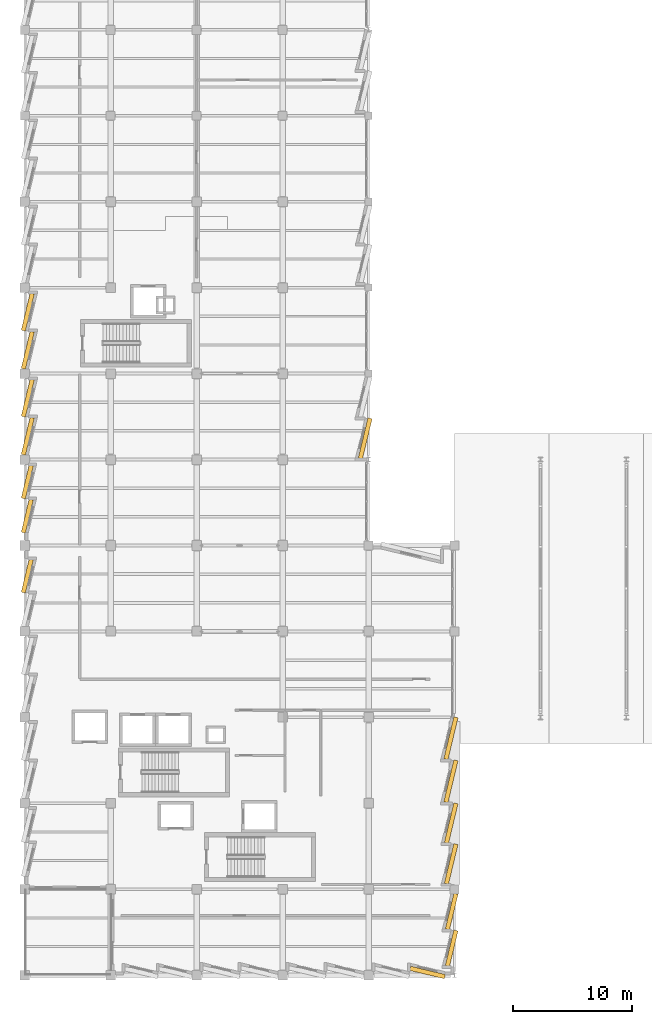
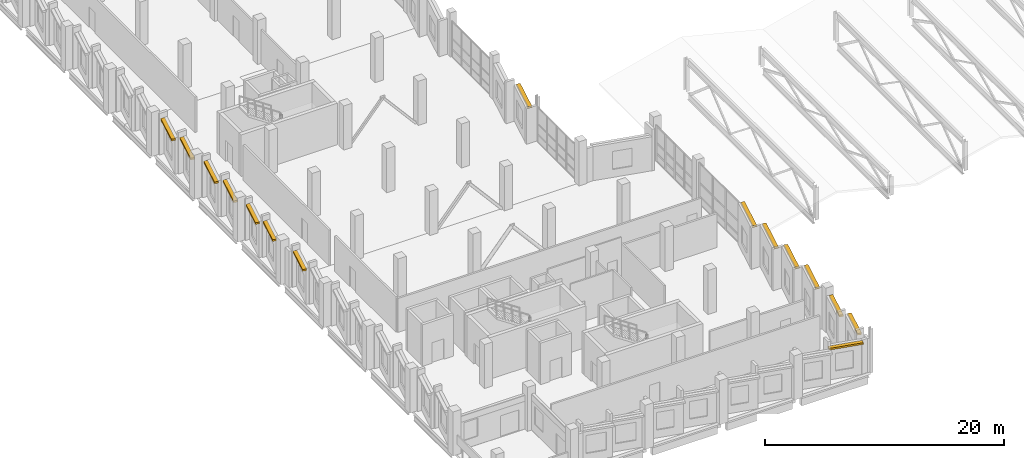
# One storey, part 107 of 123: 15 shading devices.
"""IFC4 building model written with IfcOpenShell, lengths in metres."""

from ifc_helpers import new_model, si_unit, direction, frame, origin, origin_2d, place, context, subcontext, project, spatial, rectangle, extrude, material, layer, layer_set, type_object, element, save


model = new_model("IFC4")

# Units and contexts
model_context = context("Model", 3, precision=1e-05, world=origin(), true_north=direction((0.0, 1.0)))
body_context = subcontext(model_context, "Body", "Model", "MODEL_VIEW")
ifc_project = project(units=[si_unit("LENGTHUNIT", "METRE"), si_unit("AREAUNIT", "SQUARE_METRE"), si_unit("VOLUMEUNIT", "CUBIC_METRE"), si_unit("PLANEANGLEUNIT", "RADIAN"), si_unit("MASSUNIT", "GRAM", prefix="KILO")], contexts=[model_context])

# Site, building, storey
site_placement = place(None, origin())
site = spatial("IfcSite", under=ifc_project, at=site_placement, CompositionType="ELEMENT")
building_placement = place(site_placement, origin())
building = spatial("IfcBuilding", under=site, at=building_placement, Name="Kalmorath City Hall", CompositionType="ELEMENT")
storey_placement = place(building_placement, frame((0.0, 0.0, 10.199951171875)))
storey = spatial("IfcBuildingStorey", under=building, at=storey_placement, Name="L02", CompositionType="ELEMENT", Elevation=10.199951171875)

# Shading devices
ifc_material = material(Name="Precast concrete C40/50", Category="concrete")
ifc_layer = layer(ifc_material, 0.179931640625)
ifc_layer_set = layer_set([ifc_layer], Name="Precast concrete C40/50")
shading_device_type = type_object("IfcShadingDeviceType", Name="Precast sawtooth brow sunshade 350", PredefinedType="USERDEFINED", material=ifc_layer_set)
for number, where, z_axis, x_axis, name in (
    (1, (0.212158203125, 33.443359375, 3.48583984375), (0.0, 0.0, 1.0), (0.233445363856, 0.972369920398, 0.0), "L02 precast sawtooth hood #194"),
    (2, (0.212158203125, 38.46435546875, 3.48583984375), (0.0, 0.0, 1.0), (0.233445363856, 0.972369920398, 0.0), "L02 precast sawtooth hood #195"),
    (3, (0.212158203125, 41.3232421875, 3.48583984375), (0.0, 0.0, 1.0), (0.233445363856, 0.972369920398, 0.0), "L02 precast sawtooth hood #196"),
):
    element("IfcShadingDevice", number, at=place(storey_placement, frame(where, z_axis=z_axis, x_axis=x_axis)), inside=storey, type_object=shading_device_type, Name=name, ObjectType="SUNSHADE", PredefinedType="USERDEFINED", context=body_context, shape_type="SweptSolid", body=[
        extrude(rectangle(XDim=2.84521484375, YDim=0.360107421875, at=origin_2d()), origin(), (0.0, 0.0, 1.0), 0.179931640625),
    ])
for number, where, z_axis, x_axis, name in (
    (4, (0.2529296875, 45.154296875, 3.48583984375), (0.0, 0.0, 1.0), (0.233445363856, 0.972369920398, 0.0), "L02 precast sawtooth hood #197"),
    (5, (0.2529296875, 48.353271484375, 3.48583984375), (0.0, 0.0, 1.0), (0.233445363856, 0.972369920398, 0.0), "L02 precast sawtooth hood #198"),
    (6, (0.2529296875, 52.354248046875, 3.48583984375), (0.0, 0.0, 1.0), (0.233445363856, 0.972369920398, 0.0), "L02 precast sawtooth hood #199"),
    (7, (0.2529296875, 55.55322265625, 3.48583984375), (0.0, 0.0, 1.0), (0.233445363856, 0.972369920398, 0.0), "L02 precast sawtooth hood #200"),
):
    element("IfcShadingDevice", number, at=place(storey_placement, frame(where, z_axis=z_axis, x_axis=x_axis)), inside=storey, type_object=shading_device_type, Name=name, ObjectType="SUNSHADE", PredefinedType="USERDEFINED", context=body_context, shape_type="SweptSolid", body=[
        extrude(rectangle(XDim=3.19482421875, YDim=0.360107421875, at=origin_2d()), origin(), (0.0, 0.0, 1.0), 0.179931640625),
    ])
shading_device_1_placement = place(storey_placement, frame((28.51708984375, 44.970947265625, 3.408203125), z_axis=(0.0, 0.0, 1.0), x_axis=(-0.233462334877, -0.972365845859, 0.0)))
element("IfcShadingDevice", 8, at=shading_device_1_placement, inside=storey, type_object=shading_device_type, Name="L02 precast sawtooth hood #268", ObjectType="SUNSHADE", PredefinedType="USERDEFINED", context=body_context, shape_type="SweptSolid", body=[
    extrude(rectangle(XDim=3.452392578125, YDim=0.360107421875, at=origin_2d()), origin(), (0.0, 0.0, 1.0), 0.179931640625),
])
for number, where, z_axis, x_axis, name in (
    (9, (35.698974609375, 19.84619140625, 4.0302734375), (0.0, 0.0, 1.0), (-0.233445363856, -0.972369920398, 0.0), "L02 precast sawtooth hood #270"),
    (10, (35.698974609375, 16.24609375, 4.0302734375), (0.0, 0.0, 1.0), (-0.233445363856, -0.972369920398, 0.0), "L02 precast sawtooth hood #271"),
):
    element("IfcShadingDevice", number, at=place(storey_placement, frame(where, z_axis=z_axis, x_axis=x_axis)), inside=storey, type_object=shading_device_type, Name=name, ObjectType="SUNSHADE", PredefinedType="USERDEFINED", context=body_context, shape_type="SweptSolid", body=[
        extrude(rectangle(XDim=3.607421875, YDim=0.360107421875, at=origin_2d()), origin(), (0.0, 0.0, 1.0), 0.179931640625),
    ])
for number, where, z_axis, x_axis, name in (
    (11, (35.721435546875, 12.740234375, 4.0302734375), (0.0, 0.0, 1.0), (-0.233428392764, -0.97237399464, 0.0), "L02 precast sawtooth hood #272"),
    (12, (35.721435546875, 9.328125, 4.0302734375), (0.0, 0.0, 1.0), (-0.233428392764, -0.97237399464, 0.0), "L02 precast sawtooth hood #273"),
):
    element("IfcShadingDevice", number, at=place(storey_placement, frame(where, z_axis=z_axis, x_axis=x_axis)), inside=storey, type_object=shading_device_type, Name=name, ObjectType="SUNSHADE", PredefinedType="USERDEFINED", context=body_context, shape_type="SweptSolid", body=[
        extrude(rectangle(XDim=3.413818359375, YDim=0.360107421875, at=origin_2d()), origin(), (0.0, 0.0, 1.0), 0.179931640625),
    ])
for number, where, z_axis, x_axis, name in (
    (13, (35.76220703125, 5.334228515625, 3.48583984375), (0.0, 0.0, 1.0), (-0.233445363856, -0.972369920398, 0.0), "L02 precast sawtooth hood #274"),
    (14, (35.76220703125, 2.26220703125, 3.48583984375), (0.0, 0.0, 1.0), (-0.233445363856, -0.972369920398, 0.0), "L02 precast sawtooth hood #275"),
):
    element("IfcShadingDevice", number, at=place(storey_placement, frame(where, z_axis=z_axis, x_axis=x_axis)), inside=storey, type_object=shading_device_type, Name=name, ObjectType="SUNSHADE", PredefinedType="USERDEFINED", context=body_context, shape_type="SweptSolid", body=[
        extrude(rectangle(XDim=3.064208984375, YDim=0.360107421875, at=origin_2d()), origin(), (0.0, 0.0, 1.0), 0.179931640625),
    ])
shading_device_2_placement = place(storey_placement, frame((33.740478515625, 0.228515625, 3.26123046875), z_axis=(0.0, 0.0, 1.0), x_axis=(-0.972365845859, 0.233462334877, 0.0)))
element("IfcShadingDevice", 15, at=shading_device_2_placement, inside=storey, type_object=shading_device_type, Name="L02 precast sawtooth hood #276", ObjectType="SUNSHADE", PredefinedType="USERDEFINED", context=body_context, shape_type="SweptSolid", body=[
    extrude(rectangle(XDim=2.985595703125, YDim=0.360107421875, at=origin_2d()), origin(), (0.0, 0.0, 1.0), 0.179931640625),
])

save(model, "model.ifc")
